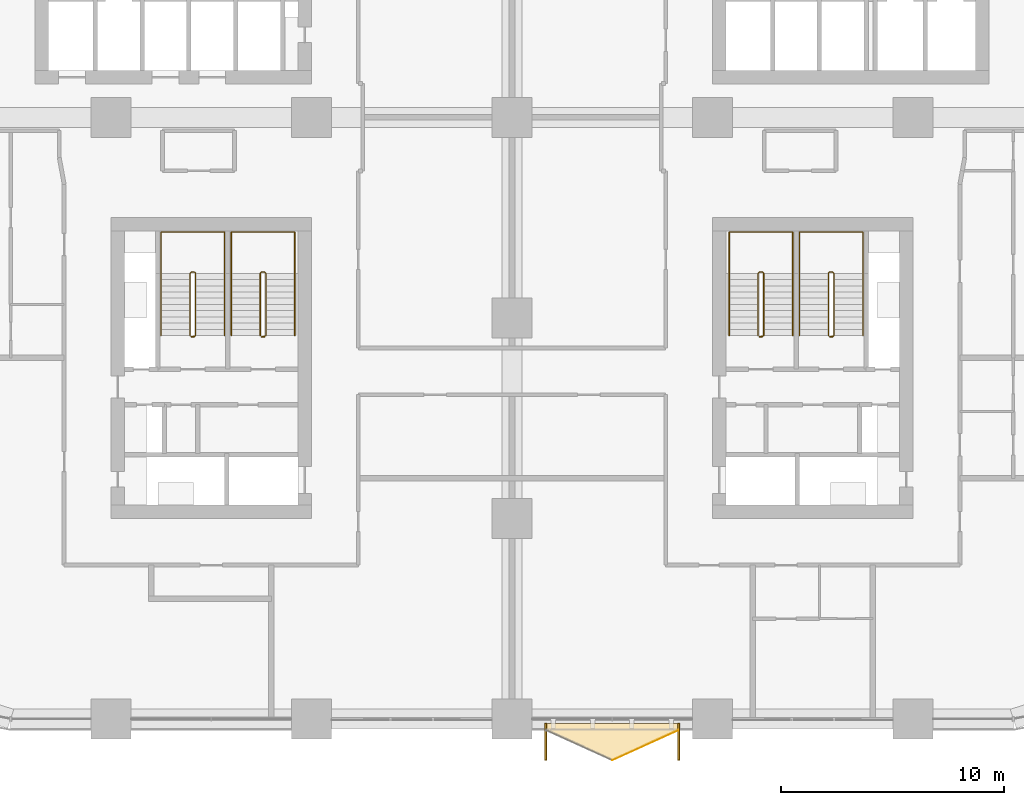
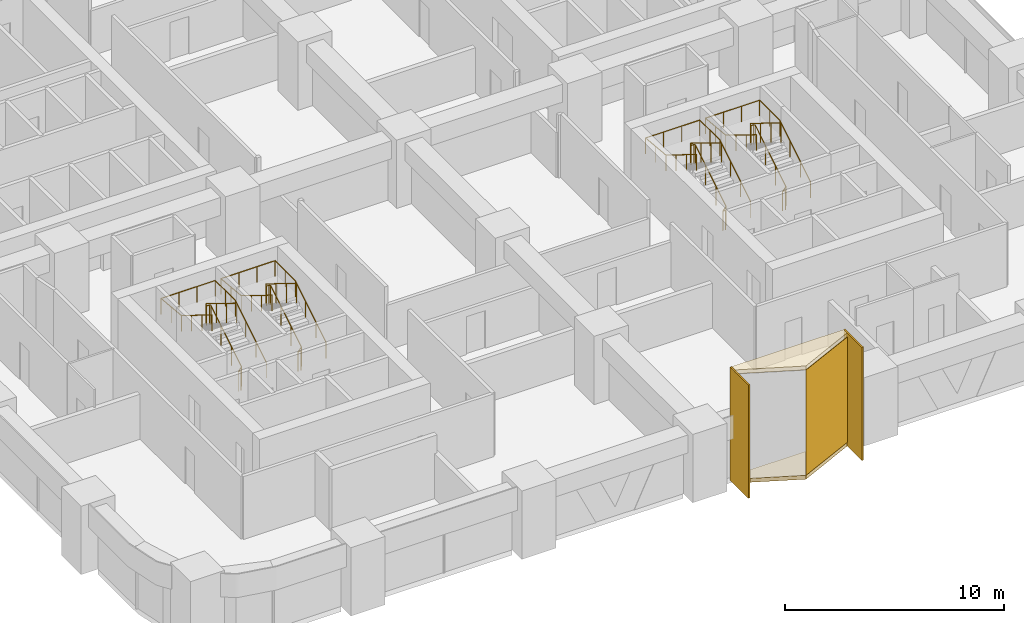
# One storey, part 20 of 22: 8 railings, 5 coverings.
"""IFC4 building model written with IfcOpenShell, lengths in metres."""

from ifc_helpers import new_model, si_unit, direction, frame, origin, origin_2d, place, context, subcontext, project, spatial, polyline, rectangle, circle, outline, extrude, material, layer, layer_set, type_object, element, save


model = new_model("IFC4")

# Units and contexts
model_context = context("Model", 3, precision=1e-05, world=origin(), true_north=direction((0.0, 1.0)))
body_context = subcontext(model_context, "Body", "Model", "MODEL_VIEW")
ifc_project = project(units=[si_unit("LENGTHUNIT", "METRE"), si_unit("AREAUNIT", "SQUARE_METRE"), si_unit("VOLUMEUNIT", "CUBIC_METRE"), si_unit("PLANEANGLEUNIT", "RADIAN"), si_unit("MASSUNIT", "GRAM", prefix="KILO")], contexts=[model_context])

# Site, building, storey
site_placement = place(None, origin())
site = spatial("IfcSite", under=ifc_project, at=site_placement, CompositionType="ELEMENT")
building_placement = place(site_placement, origin())
building = spatial("IfcBuilding", under=site, at=building_placement, Name="Tessera Arch", CompositionType="ELEMENT")
storey_placement = place(building_placement, frame((0.0, 0.0, 53.800048828125)))
storey = spatial("IfcBuildingStorey", under=building, at=storey_placement, Name="L11", CompositionType="ELEMENT", Elevation=53.800048828125)

# Railings
ifc_material_1 = material(Name="Painted steel balustrade", Category="steel")
railing_type_1 = type_object("IfcRailingType", Name="Stair guard 1100", PredefinedType="GUARDRAIL", material=ifc_material_1)
railing_1_placement = place(storey_placement, frame((38.25, 17.14990234375, 0.0)))
element("IfcRailing", 1, at=railing_1_placement, inside=storey, type_object=railing_type_1, Name="L11 S3a stair guard 1", PredefinedType="GUARDRAIL", context=body_context, shape_type="SweptSolid", body=[
    extrude(circle(Radius=0.02392578125, at=origin_2d()), frame((0.00390625, 0.0, 1.076171875), z_axis=(-1.0, 0.0, 0.0), x_axis=(0.0, -1.0, 0.0)), (0.0, 0.0, 1.0), 0.157958984375),
    extrude(circle(Radius=0.02392578125, at=origin_2d()), frame((-0.15283203125, -0.000732421875, 1.073486328125), z_axis=(0.743736083135, 0.18616104645, 0.642028584587), x_axis=(-0.242814311512, 0.970072785993, 0.0)), (0.0, 0.0, 1.0), 0.27685546875),
    extrude(circle(Radius=0.02392578125, at=origin_2d()), frame((0.050048828125, 0.046630859375, 1.24658203125), z_axis=(0.0, 0.851089632645, 0.525020415988), x_axis=(-1.0, 0.0, 0.0)), (0.0, 0.0, 1.0), 3.2978515625),
    extrude(circle(Radius=0.02392578125, at=origin_2d()), frame((0.052978515625, 2.84716796875, 2.97607421875), z_axis=(-0.707106781187, 0.707106781187, 0.0), x_axis=(-0.707106781187, -0.707106781187, 0.0)), (0.0, 0.0, 1.0), 0.078857421875),
    extrude(circle(Radius=0.02392578125, at=origin_2d()), frame((0.00390625, 2.900146484375, 2.97607421875), z_axis=(-1.0, 0.0, 0.0), x_axis=(0.0, -1.0, 0.0)), (0.0, 0.0, 1.0), 0.157958984375),
    extrude(circle(Radius=0.02392578125, at=origin_2d()), frame((-0.14892578125, 2.901123046875, 2.97216796875), z_axis=(-0.267953482034, -0.267953482034, 0.925419830635), x_axis=(0.707106781187, -0.707106781187, 0.0)), (0.0, 0.0, 1.0), 0.19482421875),
    extrude(circle(Radius=0.02392578125, at=origin_2d()), frame((-0.199951171875, 2.853515625, 3.146728515625), z_axis=(0.0, -0.851089632645, 0.525020415988), x_axis=(1.0, 0.0, 0.0)), (0.0, 0.0, 1.0), 3.2978515625),
    extrude(circle(Radius=0.02099609375, at=origin_2d()), origin(), (0.0, 0.0, 1.0), 1.06396484375),
    extrude(circle(Radius=0.02099609375, at=origin_2d()), frame((-0.14990234375, 0.0, 0.0)), (0.0, 0.0, 1.0), 1.06396484375),
    extrude(circle(Radius=0.02099609375, at=origin_2d()), frame((0.050048828125, 0.050048828125, 0.172607421875)), (0.0, 0.0, 1.0), 1.06396484375),
    extrude(circle(Radius=0.02099609375, at=origin_2d()), frame((0.050048828125, 0.9833984375, 0.748291015625)), (0.0, 0.0, 1.0), 1.06396484375),
    extrude(circle(Radius=0.02099609375, at=origin_2d()), frame((0.050048828125, 1.916748046875, 1.32421875)), (0.0, 0.0, 1.0), 1.06396484375),
    extrude(circle(Radius=0.02099609375, at=origin_2d()), frame((0.050048828125, 2.85009765625, 1.89990234375)), (0.0, 0.0, 1.0), 1.06396484375),
    extrude(circle(Radius=0.02099609375, at=origin_2d()), frame((0.0, 2.900146484375, 1.89990234375)), (0.0, 0.0, 1.0), 1.06396484375),
    extrude(circle(Radius=0.02099609375, at=origin_2d()), frame((-0.14990234375, 2.900146484375, 1.89990234375)), (0.0, 0.0, 1.0), 1.06396484375),
    extrude(circle(Radius=0.02099609375, at=origin_2d()), frame((-0.199951171875, 2.85009765625, 2.07275390625)), (0.0, 0.0, 1.0), 1.06396484375),
    extrude(circle(Radius=0.02099609375, at=origin_2d()), frame((-0.199951171875, 1.916748046875, 2.6484375)), (0.0, 0.0, 1.0), 1.06396484375),
    extrude(circle(Radius=0.02099609375, at=origin_2d()), frame((-0.199951171875, 0.9833984375, 3.224365234375)), (0.0, 0.0, 1.0), 1.06396484375),
    extrude(circle(Radius=0.02099609375, at=origin_2d()), frame((-0.199951171875, 0.050048828125, 3.800048828125)), (0.0, 0.0, 1.0), 1.06396484375),
])
railing_2_placement = place(storey_placement, frame((41.39990234375, 17.14990234375, 0.0)))
element("IfcRailing", 2, at=railing_2_placement, inside=storey, type_object=railing_type_1, Name="L11 S3b stair guard 1", PredefinedType="GUARDRAIL", context=body_context, shape_type="SweptSolid", body=[
    extrude(circle(Radius=0.02392578125, at=origin_2d()), frame((0.00390625, 0.0, 1.076171875), z_axis=(-1.0, 0.0, 0.0), x_axis=(0.0, -1.0, 0.0)), (0.0, 0.0, 1.0), 0.157958984375),
    extrude(circle(Radius=0.02392578125, at=origin_2d()), frame((-0.15283203125, -0.000732421875, 1.073486328125), z_axis=(0.743736083135, 0.18616104645, 0.642028584587), x_axis=(-0.242814311512, 0.970072785993, 0.0)), (0.0, 0.0, 1.0), 0.27685546875),
    extrude(circle(Radius=0.02392578125, at=origin_2d()), frame((0.050048828125, 0.046630859375, 1.24658203125), z_axis=(0.0, 0.851089632645, 0.525020415988), x_axis=(-1.0, 0.0, 0.0)), (0.0, 0.0, 1.0), 3.2978515625),
    extrude(circle(Radius=0.02392578125, at=origin_2d()), frame((0.052978515625, 2.84716796875, 2.97607421875), z_axis=(-0.707106781187, 0.707106781187, 0.0), x_axis=(-0.707106781187, -0.707106781187, 0.0)), (0.0, 0.0, 1.0), 0.078857421875),
    extrude(circle(Radius=0.02392578125, at=origin_2d()), frame((0.00390625, 2.900146484375, 2.97607421875), z_axis=(-1.0, 0.0, 0.0), x_axis=(0.0, -1.0, 0.0)), (0.0, 0.0, 1.0), 0.157958984375),
    extrude(circle(Radius=0.02392578125, at=origin_2d()), frame((-0.14892578125, 2.901123046875, 2.97216796875), z_axis=(-0.267953482034, -0.267953482034, 0.925419830635), x_axis=(0.707106781187, -0.707106781187, 0.0)), (0.0, 0.0, 1.0), 0.19482421875),
    extrude(circle(Radius=0.02392578125, at=origin_2d()), frame((-0.199951171875, 2.853515625, 3.146728515625), z_axis=(0.0, -0.851089632645, 0.525020415988), x_axis=(1.0, 0.0, 0.0)), (0.0, 0.0, 1.0), 3.2978515625),
    extrude(circle(Radius=0.02099609375, at=origin_2d()), origin(), (0.0, 0.0, 1.0), 1.06396484375),
    extrude(circle(Radius=0.02099609375, at=origin_2d()), frame((-0.14990234375, 0.0, 0.0)), (0.0, 0.0, 1.0), 1.06396484375),
    extrude(circle(Radius=0.02099609375, at=origin_2d()), frame((0.050048828125, 0.050048828125, 0.172607421875)), (0.0, 0.0, 1.0), 1.06396484375),
    extrude(circle(Radius=0.02099609375, at=origin_2d()), frame((0.050048828125, 0.9833984375, 0.748291015625)), (0.0, 0.0, 1.0), 1.06396484375),
    extrude(circle(Radius=0.02099609375, at=origin_2d()), frame((0.050048828125, 1.916748046875, 1.32421875)), (0.0, 0.0, 1.0), 1.06396484375),
    extrude(circle(Radius=0.02099609375, at=origin_2d()), frame((0.050048828125, 2.85009765625, 1.89990234375)), (0.0, 0.0, 1.0), 1.06396484375),
    extrude(circle(Radius=0.02099609375, at=origin_2d()), frame((0.0, 2.900146484375, 1.89990234375)), (0.0, 0.0, 1.0), 1.06396484375),
    extrude(circle(Radius=0.02099609375, at=origin_2d()), frame((-0.14990234375, 2.900146484375, 1.89990234375)), (0.0, 0.0, 1.0), 1.06396484375),
    extrude(circle(Radius=0.02099609375, at=origin_2d()), frame((-0.199951171875, 2.85009765625, 2.07275390625)), (0.0, 0.0, 1.0), 1.06396484375),
    extrude(circle(Radius=0.02099609375, at=origin_2d()), frame((-0.199951171875, 1.916748046875, 2.6484375)), (0.0, 0.0, 1.0), 1.06396484375),
    extrude(circle(Radius=0.02099609375, at=origin_2d()), frame((-0.199951171875, 0.9833984375, 3.224365234375)), (0.0, 0.0, 1.0), 1.06396484375),
    extrude(circle(Radius=0.02099609375, at=origin_2d()), frame((-0.199951171875, 0.050048828125, 3.800048828125)), (0.0, 0.0, 1.0), 1.06396484375),
])
railing_3_placement = place(storey_placement, frame((15.89990234375, 17.14990234375, 0.0)))
element("IfcRailing", 3, at=railing_3_placement, inside=storey, type_object=railing_type_1, Name="L11 S4a stair guard 1", PredefinedType="GUARDRAIL", context=body_context, shape_type="SweptSolid", body=[
    extrude(circle(Radius=0.02392578125, at=origin_2d()), frame((0.00390625, 0.0, 1.076171875), z_axis=(-1.0, 0.0, 0.0), x_axis=(0.0, -1.0, 0.0)), (0.0, 0.0, 1.0), 0.157958984375),
    extrude(circle(Radius=0.02392578125, at=origin_2d()), frame((-0.15283203125, -0.000732421875, 1.073486328125), z_axis=(0.743736083135, 0.18616104645, 0.642028584587), x_axis=(-0.242814311512, 0.970072785993, 0.0)), (0.0, 0.0, 1.0), 0.27685546875),
    extrude(circle(Radius=0.02392578125, at=origin_2d()), frame((0.050048828125, 0.046630859375, 1.24658203125), z_axis=(0.0, 0.851089632645, 0.525020415988), x_axis=(-1.0, 0.0, 0.0)), (0.0, 0.0, 1.0), 3.2978515625),
    extrude(circle(Radius=0.02392578125, at=origin_2d()), frame((0.052978515625, 2.84716796875, 2.97607421875), z_axis=(-0.707106781187, 0.707106781187, 0.0), x_axis=(-0.707106781187, -0.707106781187, 0.0)), (0.0, 0.0, 1.0), 0.078857421875),
    extrude(circle(Radius=0.02392578125, at=origin_2d()), frame((0.00390625, 2.900146484375, 2.97607421875), z_axis=(-1.0, 0.0, 0.0), x_axis=(0.0, -1.0, 0.0)), (0.0, 0.0, 1.0), 0.157958984375),
    extrude(circle(Radius=0.02392578125, at=origin_2d()), frame((-0.14892578125, 2.901123046875, 2.97216796875), z_axis=(-0.267953482034, -0.267953482034, 0.925419830635), x_axis=(0.707106781187, -0.707106781187, 0.0)), (0.0, 0.0, 1.0), 0.19482421875),
    extrude(circle(Radius=0.02392578125, at=origin_2d()), frame((-0.199951171875, 2.853515625, 3.146728515625), z_axis=(0.0, -0.851089632645, 0.525020415988), x_axis=(1.0, 0.0, 0.0)), (0.0, 0.0, 1.0), 3.2978515625),
    extrude(circle(Radius=0.02099609375, at=origin_2d()), origin(), (0.0, 0.0, 1.0), 1.06396484375),
    extrude(circle(Radius=0.02099609375, at=origin_2d()), frame((-0.14990234375, 0.0, 0.0)), (0.0, 0.0, 1.0), 1.06396484375),
    extrude(circle(Radius=0.02099609375, at=origin_2d()), frame((0.050048828125, 0.050048828125, 0.172607421875)), (0.0, 0.0, 1.0), 1.06396484375),
    extrude(circle(Radius=0.02099609375, at=origin_2d()), frame((0.050048828125, 0.9833984375, 0.748291015625)), (0.0, 0.0, 1.0), 1.06396484375),
    extrude(circle(Radius=0.02099609375, at=origin_2d()), frame((0.050048828125, 1.916748046875, 1.32421875)), (0.0, 0.0, 1.0), 1.06396484375),
    extrude(circle(Radius=0.02099609375, at=origin_2d()), frame((0.050048828125, 2.85009765625, 1.89990234375)), (0.0, 0.0, 1.0), 1.06396484375),
    extrude(circle(Radius=0.02099609375, at=origin_2d()), frame((0.0, 2.900146484375, 1.89990234375)), (0.0, 0.0, 1.0), 1.06396484375),
    extrude(circle(Radius=0.02099609375, at=origin_2d()), frame((-0.14990234375, 2.900146484375, 1.89990234375)), (0.0, 0.0, 1.0), 1.06396484375),
    extrude(circle(Radius=0.02099609375, at=origin_2d()), frame((-0.199951171875, 2.85009765625, 2.07275390625)), (0.0, 0.0, 1.0), 1.06396484375),
    extrude(circle(Radius=0.02099609375, at=origin_2d()), frame((-0.199951171875, 1.916748046875, 2.6484375)), (0.0, 0.0, 1.0), 1.06396484375),
    extrude(circle(Radius=0.02099609375, at=origin_2d()), frame((-0.199951171875, 0.9833984375, 3.224365234375)), (0.0, 0.0, 1.0), 1.06396484375),
    extrude(circle(Radius=0.02099609375, at=origin_2d()), frame((-0.199951171875, 0.050048828125, 3.800048828125)), (0.0, 0.0, 1.0), 1.06396484375),
])
railing_4_placement = place(storey_placement, frame((12.75, 17.14990234375, 0.0)))
element("IfcRailing", 4, at=railing_4_placement, inside=storey, type_object=railing_type_1, Name="L11 S4b stair guard 1", PredefinedType="GUARDRAIL", context=body_context, shape_type="SweptSolid", body=[
    extrude(circle(Radius=0.02392578125, at=origin_2d()), frame((0.00390625, 0.0, 1.076171875), z_axis=(-1.0, 0.0, 0.0), x_axis=(0.0, -1.0, 0.0)), (0.0, 0.0, 1.0), 0.157958984375),
    extrude(circle(Radius=0.02392578125, at=origin_2d()), frame((-0.15283203125, -0.000732421875, 1.073486328125), z_axis=(0.743736083135, 0.18616104645, 0.642028584587), x_axis=(-0.242814311512, 0.970072785993, 0.0)), (0.0, 0.0, 1.0), 0.27685546875),
    extrude(circle(Radius=0.02392578125, at=origin_2d()), frame((0.050048828125, 0.046630859375, 1.24658203125), z_axis=(0.0, 0.851089632645, 0.525020415988), x_axis=(-1.0, 0.0, 0.0)), (0.0, 0.0, 1.0), 3.2978515625),
    extrude(circle(Radius=0.02392578125, at=origin_2d()), frame((0.052978515625, 2.84716796875, 2.97607421875), z_axis=(-0.707106781187, 0.707106781187, 0.0), x_axis=(-0.707106781187, -0.707106781187, 0.0)), (0.0, 0.0, 1.0), 0.078857421875),
    extrude(circle(Radius=0.02392578125, at=origin_2d()), frame((0.00390625, 2.900146484375, 2.97607421875), z_axis=(-1.0, 0.0, 0.0), x_axis=(0.0, -1.0, 0.0)), (0.0, 0.0, 1.0), 0.157958984375),
    extrude(circle(Radius=0.02392578125, at=origin_2d()), frame((-0.14892578125, 2.901123046875, 2.97216796875), z_axis=(-0.267953482034, -0.267953482034, 0.925419830635), x_axis=(0.707106781187, -0.707106781187, 0.0)), (0.0, 0.0, 1.0), 0.19482421875),
    extrude(circle(Radius=0.02392578125, at=origin_2d()), frame((-0.199951171875, 2.853515625, 3.146728515625), z_axis=(0.0, -0.851089632645, 0.525020415988), x_axis=(1.0, 0.0, 0.0)), (0.0, 0.0, 1.0), 3.2978515625),
    extrude(circle(Radius=0.02099609375, at=origin_2d()), origin(), (0.0, 0.0, 1.0), 1.06396484375),
    extrude(circle(Radius=0.02099609375, at=origin_2d()), frame((-0.14990234375, 0.0, 0.0)), (0.0, 0.0, 1.0), 1.06396484375),
    extrude(circle(Radius=0.02099609375, at=origin_2d()), frame((0.050048828125, 0.050048828125, 0.172607421875)), (0.0, 0.0, 1.0), 1.06396484375),
    extrude(circle(Radius=0.02099609375, at=origin_2d()), frame((0.050048828125, 0.9833984375, 0.748291015625)), (0.0, 0.0, 1.0), 1.06396484375),
    extrude(circle(Radius=0.02099609375, at=origin_2d()), frame((0.050048828125, 1.916748046875, 1.32421875)), (0.0, 0.0, 1.0), 1.06396484375),
    extrude(circle(Radius=0.02099609375, at=origin_2d()), frame((0.050048828125, 2.85009765625, 1.89990234375)), (0.0, 0.0, 1.0), 1.06396484375),
    extrude(circle(Radius=0.02099609375, at=origin_2d()), frame((0.0, 2.900146484375, 1.89990234375)), (0.0, 0.0, 1.0), 1.06396484375),
    extrude(circle(Radius=0.02099609375, at=origin_2d()), frame((-0.14990234375, 2.900146484375, 1.89990234375)), (0.0, 0.0, 1.0), 1.06396484375),
    extrude(circle(Radius=0.02099609375, at=origin_2d()), frame((-0.199951171875, 2.85009765625, 2.07275390625)), (0.0, 0.0, 1.0), 1.06396484375),
    extrude(circle(Radius=0.02099609375, at=origin_2d()), frame((-0.199951171875, 1.916748046875, 2.6484375)), (0.0, 0.0, 1.0), 1.06396484375),
    extrude(circle(Radius=0.02099609375, at=origin_2d()), frame((-0.199951171875, 0.9833984375, 3.224365234375)), (0.0, 0.0, 1.0), 1.06396484375),
    extrude(circle(Radius=0.02099609375, at=origin_2d()), frame((-0.199951171875, 0.050048828125, 3.800048828125)), (0.0, 0.0, 1.0), 1.06396484375),
])
ifc_material_2 = material(Name="Painted steel handrail", Category="steel")
railing_type_2 = type_object("IfcRailingType", Name="Stair handrail 900", PredefinedType="HANDRAIL", material=ifc_material_2)
railing_5_placement = place(storey_placement, frame((39.60009765625, 17.199951171875, 0.172607421875)))
element("IfcRailing", 5, at=railing_5_placement, inside=storey, type_object=railing_type_2, Name="L11 S3a stair handrail", PredefinedType="HANDRAIL", context=body_context, shape_type="SweptSolid", body=[
    extrude(circle(Radius=0.02392578125, at=origin_2d()), frame((0.0, -0.00341796875, 0.873779296875), z_axis=(0.0, 0.851089632645, 0.525020415988), x_axis=(-1.0, 0.0, 0.0)), (0.0, 0.0, 1.0), 3.2978515625),
    extrude(circle(Radius=0.02392578125, at=origin_2d()), frame((0.0, 2.796142578125, 2.60302734375), z_axis=(0.0, 1.0, 0.0), x_axis=(-1.0, 0.0, 0.0)), (0.0, 0.0, 1.0), 1.858154296875),
    extrude(circle(Radius=0.02392578125, at=origin_2d()), frame((0.00390625, 4.650146484375, 2.60302734375), z_axis=(-1.0, 0.0, 0.0), x_axis=(0.0, -1.0, 0.0)), (0.0, 0.0, 1.0), 2.858154296875),
    extrude(circle(Radius=0.02392578125, at=origin_2d()), frame((-2.85009765625, 4.654052734375, 2.602783203125), z_axis=(0.0, -0.99566393824, 0.093023234135), x_axis=(1.0, 0.0, 0.0)), (0.0, 0.0, 1.0), 1.8662109375),
    extrude(circle(Radius=0.02392578125, at=origin_2d()), frame((-2.85009765625, 2.803466796875, 2.77392578125), z_axis=(0.0, -0.851089632645, 0.525020415988), x_axis=(1.0, 0.0, 0.0)), (0.0, 0.0, 1.0), 3.2978515625),
    extrude(circle(Radius=0.02099609375, at=origin_2d()), origin(), (0.0, 0.0, 1.0), 0.86376953125),
    extrude(circle(Radius=0.02099609375, at=origin_2d()), frame((0.0, 0.933349609375, 0.57568359375)), (0.0, 0.0, 1.0), 0.86376953125),
    extrude(circle(Radius=0.02099609375, at=origin_2d()), frame((0.0, 1.86669921875, 1.151611328125)), (0.0, 0.0, 1.0), 0.86376953125),
    extrude(circle(Radius=0.02099609375, at=origin_2d()), frame((0.0, 2.800048828125, 1.727294921875)), (0.0, 0.0, 1.0), 0.86376953125),
    extrude(circle(Radius=0.02099609375, at=origin_2d()), frame((0.0, 3.72509765625, 1.727294921875)), (0.0, 0.0, 1.0), 0.86376953125),
    extrude(circle(Radius=0.02099609375, at=origin_2d()), frame((0.0, 4.650146484375, 1.727294921875)), (0.0, 0.0, 1.0), 0.86376953125),
    extrude(circle(Radius=0.02099609375, at=origin_2d()), frame((-0.949951171875, 4.650146484375, 1.727294921875)), (0.0, 0.0, 1.0), 0.86376953125),
    extrude(circle(Radius=0.02099609375, at=origin_2d()), frame((-1.900146484375, 4.650146484375, 1.727294921875)), (0.0, 0.0, 1.0), 0.86376953125),
    extrude(circle(Radius=0.02099609375, at=origin_2d()), frame((-2.85009765625, 4.650146484375, 1.727294921875)), (0.0, 0.0, 1.0), 0.86376953125),
    extrude(circle(Radius=0.02099609375, at=origin_2d()), frame((-2.85009765625, 3.72509765625, 1.813720703125)), (0.0, 0.0, 1.0), 0.86376953125),
    extrude(circle(Radius=0.02099609375, at=origin_2d()), frame((-2.85009765625, 2.800048828125, 1.900146484375)), (0.0, 0.0, 1.0), 0.86376953125),
    extrude(circle(Radius=0.02099609375, at=origin_2d()), frame((-2.85009765625, 1.86669921875, 2.475830078125)), (0.0, 0.0, 1.0), 0.86376953125),
    extrude(circle(Radius=0.02099609375, at=origin_2d()), frame((-2.85009765625, 0.933349609375, 3.0517578125)), (0.0, 0.0, 1.0), 0.86376953125),
    extrude(circle(Radius=0.02099609375, at=origin_2d()), frame((-2.85009765625, 0.0, 3.62744140625)), (0.0, 0.0, 1.0), 0.86376953125),
])
railing_6_placement = place(storey_placement, frame((42.75, 17.199951171875, 0.172607421875)))
element("IfcRailing", 6, at=railing_6_placement, inside=storey, type_object=railing_type_2, Name="L11 S3b stair handrail", PredefinedType="HANDRAIL", context=body_context, shape_type="SweptSolid", body=[
    extrude(circle(Radius=0.02392578125, at=origin_2d()), frame((0.0, -0.00341796875, 0.873779296875), z_axis=(0.0, 0.851089632645, 0.525020415988), x_axis=(-1.0, 0.0, 0.0)), (0.0, 0.0, 1.0), 3.2978515625),
    extrude(circle(Radius=0.02392578125, at=origin_2d()), frame((0.0, 2.796142578125, 2.60302734375), z_axis=(0.0, 1.0, 0.0), x_axis=(-1.0, 0.0, 0.0)), (0.0, 0.0, 1.0), 1.858154296875),
    extrude(circle(Radius=0.02392578125, at=origin_2d()), frame((0.00390625, 4.650146484375, 2.60302734375), z_axis=(-1.0, 0.0, 0.0), x_axis=(0.0, -1.0, 0.0)), (0.0, 0.0, 1.0), 2.858154296875),
    extrude(circle(Radius=0.02392578125, at=origin_2d()), frame((-2.85009765625, 4.654052734375, 2.602783203125), z_axis=(0.0, -0.99566393824, 0.093023234135), x_axis=(1.0, 0.0, 0.0)), (0.0, 0.0, 1.0), 1.8662109375),
    extrude(circle(Radius=0.02392578125, at=origin_2d()), frame((-2.85009765625, 2.803466796875, 2.77392578125), z_axis=(0.0, -0.851089632645, 0.525020415988), x_axis=(1.0, 0.0, 0.0)), (0.0, 0.0, 1.0), 3.2978515625),
    extrude(circle(Radius=0.02099609375, at=origin_2d()), origin(), (0.0, 0.0, 1.0), 0.86376953125),
    extrude(circle(Radius=0.02099609375, at=origin_2d()), frame((0.0, 0.933349609375, 0.57568359375)), (0.0, 0.0, 1.0), 0.86376953125),
    extrude(circle(Radius=0.02099609375, at=origin_2d()), frame((0.0, 1.86669921875, 1.151611328125)), (0.0, 0.0, 1.0), 0.86376953125),
    extrude(circle(Radius=0.02099609375, at=origin_2d()), frame((0.0, 2.800048828125, 1.727294921875)), (0.0, 0.0, 1.0), 0.86376953125),
    extrude(circle(Radius=0.02099609375, at=origin_2d()), frame((0.0, 3.72509765625, 1.727294921875)), (0.0, 0.0, 1.0), 0.86376953125),
    extrude(circle(Radius=0.02099609375, at=origin_2d()), frame((0.0, 4.650146484375, 1.727294921875)), (0.0, 0.0, 1.0), 0.86376953125),
    extrude(circle(Radius=0.02099609375, at=origin_2d()), frame((-0.949951171875, 4.650146484375, 1.727294921875)), (0.0, 0.0, 1.0), 0.86376953125),
    extrude(circle(Radius=0.02099609375, at=origin_2d()), frame((-1.900146484375, 4.650146484375, 1.727294921875)), (0.0, 0.0, 1.0), 0.86376953125),
    extrude(circle(Radius=0.02099609375, at=origin_2d()), frame((-2.85009765625, 4.650146484375, 1.727294921875)), (0.0, 0.0, 1.0), 0.86376953125),
    extrude(circle(Radius=0.02099609375, at=origin_2d()), frame((-2.85009765625, 3.72509765625, 1.813720703125)), (0.0, 0.0, 1.0), 0.86376953125),
    extrude(circle(Radius=0.02099609375, at=origin_2d()), frame((-2.85009765625, 2.800048828125, 1.900146484375)), (0.0, 0.0, 1.0), 0.86376953125),
    extrude(circle(Radius=0.02099609375, at=origin_2d()), frame((-2.85009765625, 1.86669921875, 2.475830078125)), (0.0, 0.0, 1.0), 0.86376953125),
    extrude(circle(Radius=0.02099609375, at=origin_2d()), frame((-2.85009765625, 0.933349609375, 3.0517578125)), (0.0, 0.0, 1.0), 0.86376953125),
    extrude(circle(Radius=0.02099609375, at=origin_2d()), frame((-2.85009765625, 0.0, 3.62744140625)), (0.0, 0.0, 1.0), 0.86376953125),
])
railing_7_placement = place(storey_placement, frame((17.25, 17.199951171875, 0.172607421875)))
element("IfcRailing", 7, at=railing_7_placement, inside=storey, type_object=railing_type_2, Name="L11 S4a stair handrail", PredefinedType="HANDRAIL", context=body_context, shape_type="SweptSolid", body=[
    extrude(circle(Radius=0.02392578125, at=origin_2d()), frame((0.0, -0.00341796875, 0.873779296875), z_axis=(0.0, 0.851089632645, 0.525020415988), x_axis=(-1.0, 0.0, 0.0)), (0.0, 0.0, 1.0), 3.2978515625),
    extrude(circle(Radius=0.02392578125, at=origin_2d()), frame((0.0, 2.796142578125, 2.60302734375), z_axis=(0.0, 1.0, 0.0), x_axis=(-1.0, 0.0, 0.0)), (0.0, 0.0, 1.0), 1.858154296875),
    extrude(circle(Radius=0.02392578125, at=origin_2d()), frame((0.00390625, 4.650146484375, 2.60302734375), z_axis=(-1.0, 0.0, 0.0), x_axis=(0.0, -1.0, 0.0)), (0.0, 0.0, 1.0), 2.858154296875),
    extrude(circle(Radius=0.02392578125, at=origin_2d()), frame((-2.85009765625, 4.654052734375, 2.602783203125), z_axis=(0.0, -0.99566393824, 0.093023234135), x_axis=(1.0, 0.0, 0.0)), (0.0, 0.0, 1.0), 1.8662109375),
    extrude(circle(Radius=0.02392578125, at=origin_2d()), frame((-2.85009765625, 2.803466796875, 2.77392578125), z_axis=(0.0, -0.851089632645, 0.525020415988), x_axis=(1.0, 0.0, 0.0)), (0.0, 0.0, 1.0), 3.2978515625),
    extrude(circle(Radius=0.02099609375, at=origin_2d()), origin(), (0.0, 0.0, 1.0), 0.86376953125),
    extrude(circle(Radius=0.02099609375, at=origin_2d()), frame((0.0, 0.933349609375, 0.57568359375)), (0.0, 0.0, 1.0), 0.86376953125),
    extrude(circle(Radius=0.02099609375, at=origin_2d()), frame((0.0, 1.86669921875, 1.151611328125)), (0.0, 0.0, 1.0), 0.86376953125),
    extrude(circle(Radius=0.02099609375, at=origin_2d()), frame((0.0, 2.800048828125, 1.727294921875)), (0.0, 0.0, 1.0), 0.86376953125),
    extrude(circle(Radius=0.02099609375, at=origin_2d()), frame((0.0, 3.72509765625, 1.727294921875)), (0.0, 0.0, 1.0), 0.86376953125),
    extrude(circle(Radius=0.02099609375, at=origin_2d()), frame((0.0, 4.650146484375, 1.727294921875)), (0.0, 0.0, 1.0), 0.86376953125),
    extrude(circle(Radius=0.02099609375, at=origin_2d()), frame((-0.949951171875, 4.650146484375, 1.727294921875)), (0.0, 0.0, 1.0), 0.86376953125),
    extrude(circle(Radius=0.02099609375, at=origin_2d()), frame((-1.900146484375, 4.650146484375, 1.727294921875)), (0.0, 0.0, 1.0), 0.86376953125),
    extrude(circle(Radius=0.02099609375, at=origin_2d()), frame((-2.85009765625, 4.650146484375, 1.727294921875)), (0.0, 0.0, 1.0), 0.86376953125),
    extrude(circle(Radius=0.02099609375, at=origin_2d()), frame((-2.85009765625, 3.72509765625, 1.813720703125)), (0.0, 0.0, 1.0), 0.86376953125),
    extrude(circle(Radius=0.02099609375, at=origin_2d()), frame((-2.85009765625, 2.800048828125, 1.900146484375)), (0.0, 0.0, 1.0), 0.86376953125),
    extrude(circle(Radius=0.02099609375, at=origin_2d()), frame((-2.85009765625, 1.86669921875, 2.475830078125)), (0.0, 0.0, 1.0), 0.86376953125),
    extrude(circle(Radius=0.02099609375, at=origin_2d()), frame((-2.85009765625, 0.933349609375, 3.0517578125)), (0.0, 0.0, 1.0), 0.86376953125),
    extrude(circle(Radius=0.02099609375, at=origin_2d()), frame((-2.85009765625, 0.0, 3.62744140625)), (0.0, 0.0, 1.0), 0.86376953125),
])
railing_8_placement = place(storey_placement, frame((14.10009765625, 17.199951171875, 0.172607421875)))
element("IfcRailing", 8, at=railing_8_placement, inside=storey, type_object=railing_type_2, Name="L11 S4b stair handrail", PredefinedType="HANDRAIL", context=body_context, shape_type="SweptSolid", body=[
    extrude(circle(Radius=0.02392578125, at=origin_2d()), frame((0.0, -0.00341796875, 0.873779296875), z_axis=(0.0, 0.851089632645, 0.525020415988), x_axis=(-1.0, 0.0, 0.0)), (0.0, 0.0, 1.0), 3.2978515625),
    extrude(circle(Radius=0.02392578125, at=origin_2d()), frame((0.0, 2.796142578125, 2.60302734375), z_axis=(0.0, 1.0, 0.0), x_axis=(-1.0, 0.0, 0.0)), (0.0, 0.0, 1.0), 1.858154296875),
    extrude(circle(Radius=0.02392578125, at=origin_2d()), frame((0.00390625, 4.650146484375, 2.60302734375), z_axis=(-1.0, 0.0, 0.0), x_axis=(0.0, -1.0, 0.0)), (0.0, 0.0, 1.0), 2.858154296875),
    extrude(circle(Radius=0.02392578125, at=origin_2d()), frame((-2.85009765625, 4.654052734375, 2.602783203125), z_axis=(0.0, -0.99566393824, 0.093023234135), x_axis=(1.0, 0.0, 0.0)), (0.0, 0.0, 1.0), 1.8662109375),
    extrude(circle(Radius=0.02392578125, at=origin_2d()), frame((-2.85009765625, 2.803466796875, 2.77392578125), z_axis=(0.0, -0.851089632645, 0.525020415988), x_axis=(1.0, 0.0, 0.0)), (0.0, 0.0, 1.0), 3.2978515625),
    extrude(circle(Radius=0.02099609375, at=origin_2d()), origin(), (0.0, 0.0, 1.0), 0.86376953125),
    extrude(circle(Radius=0.02099609375, at=origin_2d()), frame((0.0, 0.933349609375, 0.57568359375)), (0.0, 0.0, 1.0), 0.86376953125),
    extrude(circle(Radius=0.02099609375, at=origin_2d()), frame((0.0, 1.86669921875, 1.151611328125)), (0.0, 0.0, 1.0), 0.86376953125),
    extrude(circle(Radius=0.02099609375, at=origin_2d()), frame((0.0, 2.800048828125, 1.727294921875)), (0.0, 0.0, 1.0), 0.86376953125),
    extrude(circle(Radius=0.02099609375, at=origin_2d()), frame((0.0, 3.72509765625, 1.727294921875)), (0.0, 0.0, 1.0), 0.86376953125),
    extrude(circle(Radius=0.02099609375, at=origin_2d()), frame((0.0, 4.650146484375, 1.727294921875)), (0.0, 0.0, 1.0), 0.86376953125),
    extrude(circle(Radius=0.02099609375, at=origin_2d()), frame((-0.949951171875, 4.650146484375, 1.727294921875)), (0.0, 0.0, 1.0), 0.86376953125),
    extrude(circle(Radius=0.02099609375, at=origin_2d()), frame((-1.900146484375, 4.650146484375, 1.727294921875)), (0.0, 0.0, 1.0), 0.86376953125),
    extrude(circle(Radius=0.02099609375, at=origin_2d()), frame((-2.85009765625, 4.650146484375, 1.727294921875)), (0.0, 0.0, 1.0), 0.86376953125),
    extrude(circle(Radius=0.02099609375, at=origin_2d()), frame((-2.85009765625, 3.72509765625, 1.813720703125)), (0.0, 0.0, 1.0), 0.86376953125),
    extrude(circle(Radius=0.02099609375, at=origin_2d()), frame((-2.85009765625, 2.800048828125, 1.900146484375)), (0.0, 0.0, 1.0), 0.86376953125),
    extrude(circle(Radius=0.02099609375, at=origin_2d()), frame((-2.85009765625, 1.86669921875, 2.475830078125)), (0.0, 0.0, 1.0), 0.86376953125),
    extrude(circle(Radius=0.02099609375, at=origin_2d()), frame((-2.85009765625, 0.933349609375, 3.0517578125)), (0.0, 0.0, 1.0), 0.86376953125),
    extrude(circle(Radius=0.02099609375, at=origin_2d()), frame((-2.85009765625, 0.0, 3.62744140625)), (0.0, 0.0, 1.0), 0.86376953125),
])

# Coverings
ifc_material_3 = material(Name="Anodised aluminium pale metal", Category="aluminium")
ifc_layer_1 = layer(ifc_material_3, 0.080078125)
ifc_layer_set_1 = layer_set([ifc_layer_1], Name="Window box cheek")
covering_type_1 = type_object("IfcCoveringType", Name="Window box cheek", PredefinedType="CLADDING", material=ifc_layer_set_1)
covering_1_placement = place(storey_placement, origin())
element("IfcCovering", 9, at=covering_1_placement, inside=storey, type_object=covering_type_1, Name="Window box S0.0/2.0 2x2 cheek", PredefinedType="CLADDING", context=body_context, shape_type="SweptSolid", body=[
    extrude(outline(polyline([(28.469970703125, -1.85009765625), (28.550048828125, -1.85009765625), (28.550048828125, -0.199951171875), (28.469970703125, -0.199951171875), (28.469970703125, -1.85009765625)])), origin(), (0.0, 0.0, 1.0), 6.300048828125),
])
covering_2_placement = place(storey_placement, origin())
element("IfcCovering", 10, at=covering_2_placement, inside=storey, type_object=covering_type_1, Name="Window box S0.0/2.0 2x2 cheek", PredefinedType="CLADDING", context=body_context, shape_type="SweptSolid", body=[
    extrude(outline(polyline([(34.449951171875, -1.85009765625), (34.530029296875, -1.85009765625), (34.530029296875, -0.199951171875), (34.449951171875, -0.199951171875), (34.449951171875, -1.85009765625)])), origin(), (0.0, 0.0, 1.0), 6.300048828125),
])
ifc_material_4 = material(Name="Anodised aluminium pale metal", Category="aluminium")
ifc_layer_2 = layer(ifc_material_4, 0.219970703125)
ifc_layer_set_2 = layer_set([ifc_layer_2], Name="Window box frame plate pale metal")
covering_type_2 = type_object("IfcCoveringType", Name="Window box frame plate pale metal", PredefinedType="CLADDING", material=ifc_layer_set_2)
covering_3_placement = place(storey_placement, origin())
element("IfcCovering", 11, at=covering_3_placement, inside=storey, type_object=covering_type_2, Name="Window box S0.0/2.0 2x2 floor", PredefinedType="CLADDING", context=body_context, shape_type="SweptSolid", body=[
    extrude(outline(polyline([(28.550048828125, -0.510009765625), (31.5, -1.85009765625), (34.449951171875, -0.510009765625), (34.449951171875, -0.199951171875), (28.550048828125, -0.199951171875), (28.550048828125, -0.510009765625)])), origin(), (0.0, 0.0, 1.0), 0.219970703125),
])
covering_4_placement = place(storey_placement, frame((0.0, 0.0, 6.079833984375)))
element("IfcCovering", 12, at=covering_4_placement, inside=storey, type_object=covering_type_2, Name="Window box S0.0/2.0 2x2 roof", PredefinedType="CLADDING", context=body_context, shape_type="SweptSolid", body=[
    extrude(outline(polyline([(28.550048828125, -0.510009765625), (31.5, -1.85009765625), (34.449951171875, -0.510009765625), (34.449951171875, -0.199951171875), (28.550048828125, -0.199951171875), (28.550048828125, -0.510009765625)])), origin(), (0.0, 0.0, 1.0), 0.22021484375),
])
ifc_material_5 = material(Name="Anodised aluminium pale metal", Category="aluminium")
ifc_layer_3 = layer(ifc_material_5, 0.028076171875)
ifc_layer_set_3 = layer_set([ifc_layer_3], Name="Window box side panel")
covering_type_3 = type_object("IfcCoveringType", Name="Window box side panel", PredefinedType="CLADDING", material=ifc_layer_set_3)
covering_5_placement = place(storey_placement, frame((32.97509765625, -1.179931640625, 0.2197265625), z_axis=(0.0, 0.0, 1.0), x_axis=(-0.910472144558, -0.413570397858, 0.0)))
element("IfcCovering", 13, at=covering_5_placement, inside=storey, type_object=covering_type_3, Name="Window box S0.0/2.0 2x2 side panel", PredefinedType="CLADDING", context=body_context, shape_type="SweptSolid", body=[
    extrude(rectangle(XDim=3.239990234375, YDim=0.028076171875, at=origin_2d()), origin(), (0.0, 0.0, 1.0), 5.860107421875),
])

save(model, "model.ifc")
